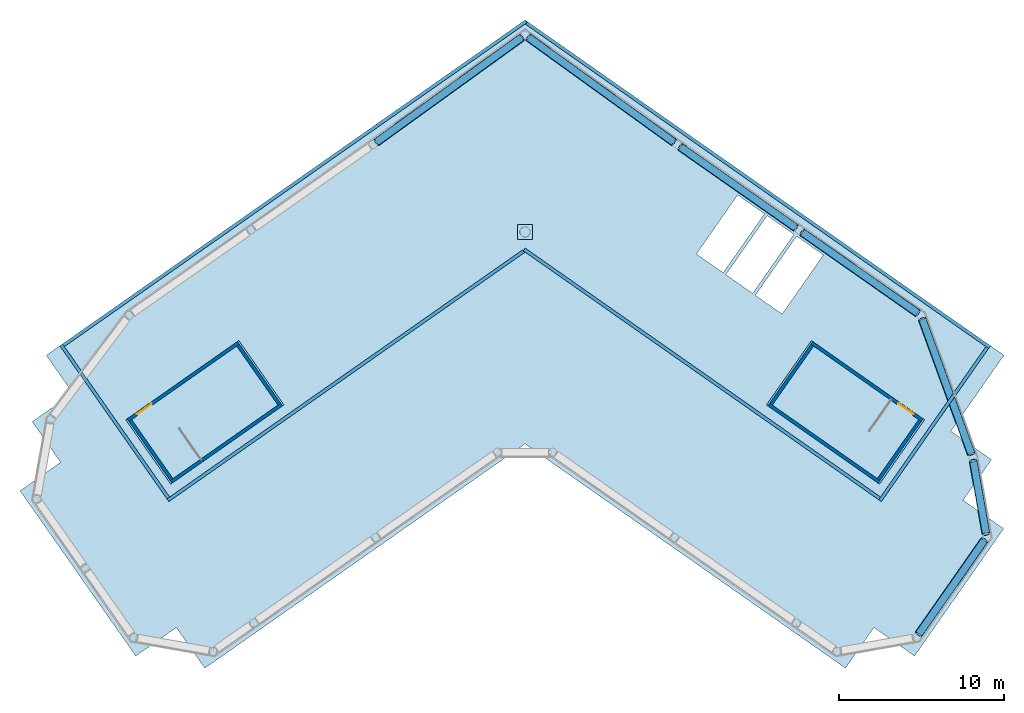
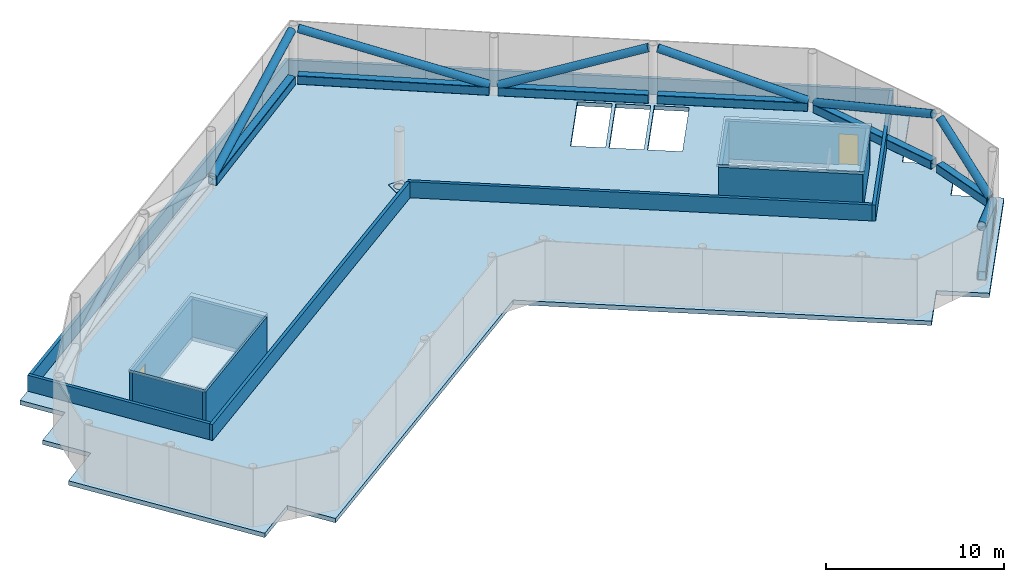
# One storey, part 3 of 4: 14 walls, 7 beams, 7 members, 4 slabs, 2 doors, 1 plate, 2 openings.
"""IFC4 building model written with IfcOpenShell, lengths in metres."""

from ifc_helpers import new_model, si_unit, direction, frame, frame_2d, origin, origin_2d, place, context, subcontext, project, spatial, polyline, rectangle, hollow_rectangle, hollow_circle, outline, extrude, material, layer, layer_set, material_profile, profile_set, type_object, element, fill, save


model = new_model("IFC4")

# Units and contexts
model_context = context("Model", 3, precision=1e-05, world=origin(), true_north=direction((0.0, 1.0)))
body_context = subcontext(model_context, "Body", "Model", "MODEL_VIEW")
ifc_project = project(units=[si_unit("LENGTHUNIT", "METRE"), si_unit("AREAUNIT", "SQUARE_METRE"), si_unit("VOLUMEUNIT", "CUBIC_METRE"), si_unit("PLANEANGLEUNIT", "RADIAN"), si_unit("MASSUNIT", "GRAM", prefix="KILO")], contexts=[model_context])

# Site, building, storey
site_placement = place(None, origin())
site = spatial("IfcSite", under=ifc_project, at=site_placement, CompositionType="ELEMENT")
building_placement = place(site_placement, origin())
building = spatial("IfcBuilding", under=site, at=building_placement, Name="Tel Ilan Convention Tower", CompositionType="ELEMENT")
storey_placement = place(building_placement, frame((0.0, 0.0, 318.800048828125)))
storey = spatial("IfcBuildingStorey", under=building, at=storey_placement, Name="L75", CompositionType="ELEMENT", Elevation=318.800048828125)

# Members
ifc_material_1 = material(Name="Steel S355", Category="steel")
ifc_material_profile_1 = material_profile(ifc_material_1, hollow_circle(Radius=0.25390625, WallThickness=0.01611328125, at=origin_2d()), Name="CHS 508x16")
ifc_profile_set_1 = profile_set([ifc_material_profile_1], Name="Steel S355")
member_type = type_object("IfcMemberType", Name="CROWN FRAME BRACE CHS 508x16", PredefinedType="BRACE", material=ifc_profile_set_1)
member_1_placement = place(storey_placement, frame((23.817626953125, -24.302978515625, 3.699951171875), z_axis=(0.523123385524, 0.747051464347, -0.410190240175), x_axis=(-0.81913539389, 0.573600214851, 0.0)))
element("IfcMember", 1, at=member_1_placement, inside=storey, type_object=member_type, Name="CROWN FRAME brace", PredefinedType="BRACE", context=body_context, shape_type="SweptSolid", body=[
    extrude(hollow_circle(Radius=0.25390625, WallThickness=0.01611328125, at=origin_2d()), origin(), (0.0, 0.0, 1.0), 7.5576171875),
])
member_2_placement = place(storey_placement, frame((27.872802734375, -18.198974609375, 0.599853515625), z_axis=(-0.141591732829, 0.803309853597, 0.578485142686), x_axis=(-0.984818960578, -0.173584604405, 0.0)))
element("IfcMember", 2, at=member_2_placement, inside=storey, type_object=member_type, Name="CROWN FRAME brace", PredefinedType="BRACE", context=body_context, shape_type="SweptSolid", body=[
    extrude(hollow_circle(Radius=0.25390625, WallThickness=0.01611328125, at=origin_2d()), origin(), (0.0, 0.0, 1.0), 5.35888671875),
])
member_3_placement = place(storey_placement, frame((26.983154296875, -13.4052734375, 3.699951171875), z_axis=(-0.32215936621, 0.884483078025, -0.337495225818), x_axis=(-0.939612751601, -0.342239502439, 0.0)))
element("IfcMember", 3, at=member_3_placement, inside=storey, type_object=member_type, Name="CROWN FRAME brace", PredefinedType="BRACE", context=body_context, shape_type="SweptSolid", body=[
    extrude(hollow_circle(Radius=0.25390625, WallThickness=0.01611328125, at=origin_2d()), origin(), (0.0, 0.0, 1.0), 9.185546875),
])
member_4_placement = place(storey_placement, frame((23.72900390625, -4.896240234375, 0.599853515625), z_axis=(-0.769437350705, 0.538865397163, 0.342914343649), x_axis=(-0.573647554936, -0.819102241918, 0.0)))
element("IfcMember", 4, at=member_4_placement, inside=storey, type_object=member_type, Name="CROWN FRAME brace", PredefinedType="BRACE", context=body_context, shape_type="SweptSolid", body=[
    extrude(hollow_circle(Radius=0.25390625, WallThickness=0.01611328125, at=origin_2d()), origin(), (0.0, 0.0, 1.0), 9.04052734375),
])
member_5_placement = place(storey_placement, frame((16.35693359375, 0.2666015625, 3.699951171875), z_axis=(-0.769471121949, 0.538799932711, -0.342941430856), x_axis=(-0.573583902989, -0.819146816042, 0.0)))
element("IfcMember", 5, at=member_5_placement, inside=storey, type_object=member_type, Name="CROWN FRAME brace", PredefinedType="BRACE", context=body_context, shape_type="SweptSolid", body=[
    extrude(hollow_circle(Radius=0.25390625, WallThickness=0.01611328125, at=origin_2d()), origin(), (0.0, 0.0, 1.0), 9.039794921875),
])
for number, where, z_axis, x_axis, name in (
    (6, (8.987060546875, 5.431640625, 0.599853515625), (-0.779549180272, 0.562635670773, 0.275216601081), (-0.585236177645, -0.810862883831, 0.0), "CROWN FRAME brace"),
    (7, (-0.2060546875, 11.769287109375, 3.699951171875), (-0.779549180272, -0.562635670773, -0.275216601081), (0.585236177645, -0.810862883831, 0.0), "CROWN FRAME brace"),
):
    element("IfcMember", number, at=place(storey_placement, frame(where, z_axis=z_axis, x_axis=x_axis)), inside=storey, type_object=member_type, Name=name, PredefinedType="BRACE", context=body_context, shape_type="SweptSolid", body=[
        extrude(hollow_circle(Radius=0.25390625, WallThickness=0.01611328125, at=origin_2d()), origin(), (0.0, 0.0, 1.0), 11.26416015625),
    ])

# Beams
ifc_material_2 = material(Name="Steel S355", Category="steel")
ifc_material_profile_2 = material_profile(ifc_material_2, hollow_rectangle(XDim=0.5, YDim=0.60009765625, WallThickness=0.02490234375, InnerFilletRadius=0.02490234375, OuterFilletRadius=0.050048828125, at=origin_2d()), Name="RHS 600x500x25")
ifc_profile_set_2 = profile_set([ifc_material_profile_2], Name="Steel S355")
beam_type = type_object("IfcBeamType", Name="CROWN FRAME RING BEAM RHS 600x500x25", PredefinedType="BEAM", material=ifc_profile_set_2)
beam_1_placement = place(storey_placement, frame((23.817626953125, -24.302978515625, 0.300048828125), z_axis=(0.573600214851, 0.81913539389, 0.0), x_axis=(-0.81913539389, 0.573600214851, 0.0)))
element("IfcBeam", 8, at=beam_1_placement, inside=storey, type_object=beam_type, Name="CROWN FRAME ring beam", PredefinedType="BEAM", context=body_context, shape_type="SweptSolid", body=[
    extrude(hollow_rectangle(XDim=0.5, YDim=0.60009765625, WallThickness=0.02490234375, InnerFilletRadius=0.02490234375, OuterFilletRadius=0.050048828125, at=origin_2d()), origin(), (0.0, 0.0, 1.0), 6.892578125),
])
beam_2_placement = place(storey_placement, frame((27.872802734375, -18.198974609375, 0.300048828125), z_axis=(-0.173584604405, 0.984818960578, 0.0), x_axis=(-0.984818960578, -0.173584604405, 0.0)))
element("IfcBeam", 9, at=beam_2_placement, inside=storey, type_object=beam_type, Name="CROWN FRAME ring beam", PredefinedType="BEAM", context=body_context, shape_type="SweptSolid", body=[
    extrude(hollow_rectangle(XDim=0.5, YDim=0.60009765625, WallThickness=0.02490234375, InnerFilletRadius=0.02490234375, OuterFilletRadius=0.050048828125, at=origin_2d()), origin(), (0.0, 0.0, 1.0), 4.371337890625),
])
beam_3_placement = place(storey_placement, frame((26.983154296875, -13.4052734375, 0.300048828125), z_axis=(-0.342239502439, 0.939612751601, 0.0), x_axis=(-0.939612751601, -0.342239502439, 0.0)))
element("IfcBeam", 10, at=beam_3_placement, inside=storey, type_object=beam_type, Name="CROWN FRAME ring beam", PredefinedType="BEAM", context=body_context, shape_type="SweptSolid", body=[
    extrude(hollow_rectangle(XDim=0.5, YDim=0.60009765625, WallThickness=0.02490234375, InnerFilletRadius=0.02490234375, OuterFilletRadius=0.050048828125, at=origin_2d()), origin(), (0.0, 0.0, 1.0), 8.646728515625),
])
beam_4_placement = place(storey_placement, frame((23.72900390625, -4.896240234375, 0.300048828125), z_axis=(-0.819102241918, 0.573647554936, 0.0), x_axis=(-0.573647554936, -0.819102241918, 0.0)))
element("IfcBeam", 11, at=beam_4_placement, inside=storey, type_object=beam_type, Name="CROWN FRAME ring beam", PredefinedType="BEAM", context=body_context, shape_type="SweptSolid", body=[
    extrude(hollow_rectangle(XDim=0.5, YDim=0.60009765625, WallThickness=0.02490234375, InnerFilletRadius=0.02490234375, OuterFilletRadius=0.050048828125, at=origin_2d()), origin(), (0.0, 0.0, 1.0), 8.4921875),
])
beam_5_placement = place(storey_placement, frame((16.35693359375, 0.2666015625, 0.300048828125), z_axis=(-0.819146816042, 0.573583902989, 0.0), x_axis=(-0.573583902989, -0.819146816042, 0.0)))
element("IfcBeam", 12, at=beam_5_placement, inside=storey, type_object=beam_type, Name="CROWN FRAME ring beam", PredefinedType="BEAM", context=body_context, shape_type="SweptSolid", body=[
    extrude(hollow_rectangle(XDim=0.5, YDim=0.60009765625, WallThickness=0.02490234375, InnerFilletRadius=0.02490234375, OuterFilletRadius=0.050048828125, at=origin_2d()), origin(), (0.0, 0.0, 1.0), 8.491455078125),
])
for number, where, z_axis, x_axis, name in (
    (13, (8.987060546875, 5.431640625, 0.300048828125), (-0.810862883831, 0.585236177645, 0.0), (-0.585236177645, -0.810862883831, 0.0), "CROWN FRAME ring beam"),
    (14, (-0.2060546875, 11.769287109375, 0.300048828125), (-0.810862883831, -0.585236177645, 0.0), (0.585236177645, -0.810862883831, 0.0), "CROWN FRAME ring beam"),
):
    element("IfcBeam", number, at=place(storey_placement, frame(where, z_axis=z_axis, x_axis=x_axis)), inside=storey, type_object=beam_type, Name=name, PredefinedType="BEAM", context=body_context, shape_type="SweptSolid", body=[
        extrude(hollow_rectangle(XDim=0.5, YDim=0.60009765625, WallThickness=0.02490234375, InnerFilletRadius=0.02490234375, OuterFilletRadius=0.050048828125, at=origin_2d()), origin(), (0.0, 0.0, 1.0), 10.8291015625),
    ])

# Slab
ifc_material_3 = material(Name="Concrete C40/50", Category="concrete")
ifc_layer_1 = layer(ifc_material_3, 0.280029296875)
ifc_layer_set_1 = layer_set([ifc_layer_1], Name="Core Roof Slab 280 mm C40/50")
slab_type_1 = type_object("IfcSlabType", Name="Core Roof Slab 280 mm C40/50", PredefinedType="ROOF", material=ifc_layer_set_1)
slab_1_placement = place(storey_placement, frame((0.0, 0.0, -0.280029296875)))
element("IfcSlab", 15, at=slab_1_placement, inside=storey, type_object=slab_type_1, Name="L75 core floor 1", PredefinedType="ROOF", context=body_context, shape_type="SweptSolid", body=[
    extrude(outline(polyline([(-28.1396484375, -6.885498046875), (0.0, 12.818115234375), (28.1396484375, -6.885498046875), (21.54345703125, -16.3056640625), (0.0, -1.220703125), (-21.54345703125, -16.3056640625), (-28.1396484375, -6.885498046875)]), holes=[polyline([(-22.072021484375, -10.144775390625), (-19.5771484375, -13.7080078125), (-14.949462890625, -10.4677734375), (-17.444580078125, -6.904541015625), (-22.072021484375, -10.144775390625)]), polyline([(19.5771484375, -13.7080078125), (22.072021484375, -10.144775390625), (17.444580078125, -6.904541015625), (14.949462890625, -10.4677734375), (19.5771484375, -13.7080078125)]), polyline([(16.41748046875, -0.264404296875), (13.92236328125, -3.827880859375), (15.5400390625, -4.960693359375), (18.03515625, -1.397216796875), (16.41748046875, -0.264404296875)]), polyline([(16.25341796875, -0.149658203125), (14.6357421875, 0.983154296875), (12.140625, -2.580078125), (13.758544921875, -3.712890625), (16.25341796875, -0.149658203125)]), polyline([(14.471923828125, 1.097900390625), (12.85400390625, 2.230712890625), (10.35888671875, -1.332763671875), (11.976806640625, -2.465576171875), (14.471923828125, 1.097900390625)])]), origin(), (0.0, 0.0, 1.0), 0.280029296875),
])

# Plate
ifc_material_4 = material(Name="Steel S355", Category="steel")
ifc_layer_2 = layer(ifc_material_4, 0.050048828125)
ifc_layer_set_2 = layer_set([ifc_layer_2], Name="MAST BASE PLATE 50 S355")
plate_type = type_object("IfcPlateType", Name="MAST BASE PLATE 50", PredefinedType="SHEET", material=ifc_layer_set_2)
plate_placement = place(storey_placement, origin())
element("IfcPlate", 16, at=plate_placement, inside=storey, type_object=plate_type, Name="MAST BASE PLATE 50 mm S355", PredefinedType="SHEET", context=body_context, shape_type="SweptSolid", body=[
    extrude(outline(polyline([(-0.449951171875, -0.449951171875), (0.449951171875, -0.449951171875), (0.449951171875, 0.449951171875), (-0.449951171875, 0.449951171875), (-0.449951171875, -0.449951171875)]), holes=[polyline([(0.303466796875, -0.039794921875), (0.295654296875, -0.0791015625), (0.28271484375, -0.1171875), (0.264892578125, -0.153076171875), (0.242919921875, -0.186279296875), (0.21630859375, -0.21630859375), (0.186279296875, -0.242919921875), (0.153076171875, -0.264892578125), (0.1171875, -0.28271484375), (0.0791015625, -0.295654296875), (0.039794921875, -0.303466796875), (0.0, -0.305908203125), (-0.039794921875, -0.303466796875), (-0.0791015625, -0.295654296875), (-0.1171875, -0.28271484375), (-0.153076171875, -0.264892578125), (-0.186279296875, -0.242919921875), (-0.21630859375, -0.21630859375), (-0.242919921875, -0.186279296875), (-0.264892578125, -0.153076171875), (-0.28271484375, -0.1171875), (-0.295654296875, -0.0791015625), (-0.303466796875, -0.039794921875), (-0.305908203125, 0.0), (-0.303466796875, 0.039794921875), (-0.295654296875, 0.0791015625), (-0.28271484375, 0.1171875), (-0.264892578125, 0.153076171875), (-0.242919921875, 0.186279296875), (-0.21630859375, 0.21630859375), (-0.186279296875, 0.242919921875), (-0.153076171875, 0.264892578125), (-0.1171875, 0.28271484375), (-0.0791015625, 0.295654296875), (-0.039794921875, 0.303466796875), (0.0, 0.305908203125), (0.039794921875, 0.303466796875), (0.0791015625, 0.295654296875), (0.1171875, 0.28271484375), (0.153076171875, 0.264892578125), (0.186279296875, 0.242919921875), (0.21630859375, 0.21630859375), (0.242919921875, 0.186279296875), (0.264892578125, 0.153076171875), (0.28271484375, 0.1171875), (0.295654296875, 0.0791015625), (0.303466796875, 0.039794921875), (0.305908203125, 0.0), (0.303466796875, -0.039794921875)])]), origin(), (0.0, 0.0, 1.0), 0.050048828125),
])

# Slabs
ifc_material_5 = material(Name="Concrete C40/50", Category="concrete")
ifc_layer_3 = layer(ifc_material_5, 0.300048828125)
ifc_layer_set_3 = layer_set([ifc_layer_3], Name="Roof Slab 300 mm C40/50")
slab_type_2 = type_object("IfcSlabType", Name="Roof Slab 300 mm C40/50", PredefinedType="ROOF", material=ifc_layer_set_3)
slab_2_placement = place(storey_placement, frame((0.0, 0.0, -0.300048828125)))
element("IfcSlab", 17, at=slab_2_placement, inside=storey, type_object=slab_type_2, Name="Roof slab over L74", PredefinedType="ROOF", context=body_context, shape_type="SweptSolid", body=[
    extrude(outline(polyline([(28.958740234375, -7.458984375), (25.746826171875, -12.04638671875), (28.2041015625, -13.76708984375), (26.4833984375, -16.224609375), (28.94091796875, -17.9453125), (23.54931640625, -25.645263671875), (21.091796875, -23.924560546875), (19.37109375, -26.382080078125), (0.0, -12.818115234375), (-19.37109375, -26.382080078125), (-21.091796875, -23.924560546875), (-23.54931640625, -25.645263671875), (-30.547119140625, -15.651611328125), (-28.089599609375, -13.930908203125), (-29.810302734375, -11.473388671875), (-27.352783203125, -9.752685546875), (-28.958740234375, -7.458984375), (-28.1396484375, -6.885498046875), (-21.54345703125, -16.3056640625), (0.0, -1.220703125), (21.54345703125, -16.3056640625), (28.1396484375, -6.885498046875), (28.958740234375, -7.458984375)])), origin(), (0.0, 0.0, 1.0), 0.300048828125),
])
ifc_material_6 = material(Name="Concrete C40/50", Category="concrete")
ifc_layer_4 = layer(ifc_material_6, 0.199951171875)
ifc_layer_set_4 = layer_set([ifc_layer_4], Name="Stair Head House Roof Slab 200 mm C40/50")
slab_type_3 = type_object("IfcSlabType", Name="Stair Head House Roof Slab 200 mm", PredefinedType="ROOF", material=ifc_layer_set_4)
slab_3_placement = place(storey_placement, frame((0.0, 0.0, 2.599853515625)))
element("IfcSlab", 18, at=slab_3_placement, inside=storey, type_object=slab_type_3, Name="Stair S2 head house roof", PredefinedType="ROOF", context=body_context, shape_type="SweptSolid", body=[
    extrude(outline(polyline([(-17.313720703125, -6.568603515625), (-24.153564453125, -11.35791015625), (-21.428955078125, -15.248779296875), (-14.589111328125, -10.45947265625), (-17.313720703125, -6.568603515625)])), origin(), (0.0, 0.0, 1.0), 0.2001953125),
])
slab_4_placement = place(storey_placement, frame((0.0, 0.0, 2.599853515625)))
element("IfcSlab", 19, at=slab_4_placement, inside=storey, type_object=slab_type_3, Name="Stair S4 head house roof", PredefinedType="ROOF", context=body_context, shape_type="SweptSolid", body=[
    extrude(outline(polyline([(17.313720703125, -6.568603515625), (24.153564453125, -11.35791015625), (21.428955078125, -15.248779296875), (14.589111328125, -10.45947265625), (17.313720703125, -6.568603515625)])), origin(), (0.0, 0.0, 1.0), 0.2001953125),
])

# Walls
ifc_material_7 = material(Name="Concrete C40/50", Category="concrete")
ifc_layer_5 = layer(ifc_material_7, 0.199951171875)
ifc_layer_set_5 = layer_set([ifc_layer_5], Name="Roof Parapet Wall 200 mm Concrete C40/50")
wall_type_1 = type_object("IfcWallType", Name="Roof Parapet Wall 200 mm Concrete C40/50", PredefinedType="PARAPET", material=ifc_layer_set_5)
wall_1_placement = place(storey_placement, frame((-21.576416015625, -16.08447265625, 0.0), z_axis=(0.0, 0.0, 1.0), x_axis=(-0.57356674313, 0.81915883147, 0.0)))
element("IfcWall", 20, at=wall_1_placement, inside=storey, type_object=wall_type_1, Name="Roof parapet", PredefinedType="PARAPET", context=body_context, shape_type="SweptSolid", body=[
    extrude(rectangle(XDim=11.2998046875, YDim=0.199951171875, at=frame_2d((5.64990234375, 0.0))), origin(), (0.0, 0.0, 1.0), 1.099853515625),
])
wall_2_placement = place(storey_placement, frame((-27.91845703125, -6.852783203125, 0.0), z_axis=(0.0, 0.0, 1.0), x_axis=(0.819152318349, 0.573576044952, 0.0)))
element("IfcWall", 21, at=wall_2_placement, inside=storey, type_object=wall_type_1, Name="Roof parapet", PredefinedType="PARAPET", context=body_context, shape_type="SweptSolid", body=[
    extrude(rectangle(XDim=34.152099609375, YDim=0.199951171875, at=frame_2d((17.076171875, 0.0))), origin(), (0.0, 0.0, 1.0), 1.099853515625),
])
wall_3_placement = place(storey_placement, frame((0.090087890625, 12.633056640625, 0.0), z_axis=(0.0, 0.0, 1.0), x_axis=(0.819152029187, -0.573576457919, 0.0)))
element("IfcWall", 22, at=wall_3_placement, inside=storey, type_object=wall_type_1, Name="Roof parapet", PredefinedType="PARAPET", context=body_context, shape_type="SweptSolid", body=[
    extrude(rectangle(XDim=34.172119140625, YDim=0.199951171875, at=frame_2d((17.0859375, 0.0))), origin(), (0.0, 0.0, 1.0), 1.099853515625),
])
wall_4_placement = place(storey_placement, frame((27.943115234375, -6.991943359375, 0.0), z_axis=(0.0, 0.0, 1.0), x_axis=(-0.573581240749, -0.819148680192, 0.0)))
element("IfcWall", 23, at=wall_4_placement, inside=storey, type_object=wall_type_1, Name="Roof parapet", PredefinedType="PARAPET", context=body_context, shape_type="SweptSolid", body=[
    extrude(rectangle(XDim=11.300048828125, YDim=0.199951171875, at=frame_2d((5.64990234375, 0.0))), origin(), (0.0, 0.0, 1.0), 1.099853515625),
])
wall_5_placement = place(storey_placement, frame((21.43701171875, -16.109130859375, 0.0), z_axis=(0.0, 0.0, 1.0), x_axis=(-0.819151921324, 0.573576611963, 0.0)))
element("IfcWall", 24, at=wall_5_placement, inside=storey, type_object=wall_type_1, Name="Roof parapet", PredefinedType="PARAPET", context=body_context, shape_type="SweptSolid", body=[
    extrude(rectangle(XDim=26.23974609375, YDim=0.199951171875, at=frame_2d((13.119873046875, 0.0))), origin(), (0.0, 0.0, 1.0), 1.099853515625),
])
wall_6_placement = place(storey_placement, frame((-0.090087890625, -1.161865234375, 0.0), z_axis=(0.0, 0.0, 1.0), x_axis=(-0.819151545335, -0.57357714893, 0.0)))
element("IfcWall", 25, at=wall_6_placement, inside=storey, type_object=wall_type_1, Name="Roof parapet", PredefinedType="PARAPET", context=body_context, shape_type="SweptSolid", body=[
    extrude(rectangle(XDim=26.259765625, YDim=0.199951171875, at=frame_2d((13.1298828125, 0.0))), origin(), (0.0, 0.0, 1.0), 1.099853515625),
])

# Wall, opening, door
ifc_material_8 = material(Name="Concrete C30/37", Category="concrete")
ifc_layer_6 = layer(ifc_material_8, 0.199951171875)
ifc_layer_set_6 = layer_set([ifc_layer_6], Name="Stair Head House Wall 200 mm C30/37")
wall_type_2 = type_object("IfcWallType", Name="Stair Head House Wall 200 mm C30/37", PredefinedType="SOLIDWALL", material=ifc_layer_set_6)
wall_7_placement = place(storey_placement, frame((-17.338134765625, -6.707763671875, 0.0), z_axis=(0.0, 0.0, 1.0), x_axis=(-0.819140434434, -0.573593016586, 0.0)))
wall_7 = element("IfcWall", 26, at=wall_7_placement, inside=storey, type_object=wall_type_2, Name="Stair S2 head house wall spine", PredefinedType="SOLIDWALL", context=body_context, shape_type="SweptSolid", body=[
    extrude(rectangle(XDim=8.150146484375, YDim=0.199951171875, at=frame_2d((4.0751953125, 0.0))), origin(), (0.0, 0.0, 1.0), 2.599853515625),
])
opening_1_placement = place(wall_7_placement, frame((6.39990234375, 0.0, 0.0)))
opening_1 = element("IfcOpeningElement", 27, at=opening_1_placement, cuts=wall_7, Name="Opening HH2", PredefinedType="OPENING", context=body_context, shape_type="SweptSolid", body=[
    extrude(rectangle(XDim=1.10009765625, YDim=2.10009765625, at=frame_2d((0.550048828125, 1.050048828125))), frame((0.0, 0.10986328125, 0.0), z_axis=(0.0, -1.0, 0.0), x_axis=(1.0, 0.0, 0.0)), (0.0, 0.0, 1.0), 0.219970703125),
])
ifc_material_9 = material(Name="Galvanised Steel Door Leaf", Category="steel")
door_type = type_object("IfcDoorType", Name="Stair Fire Door 1100 x 2100 FD60S", OperationType="NOTDEFINED", PredefinedType="DOOR", material=ifc_material_9)
door_1_placement = place(opening_1_placement, origin())
door_1 = element("IfcDoor", 28, at=door_1_placement, inside=storey, type_object=door_type, Name="Stair S2 roof door", OperationType="SINGLE_SWING_RIGHT", OverallHeight=2.10009765625, OverallWidth=1.10009765625, PredefinedType="DOOR", context=body_context, shape_type="SweptSolid", body=[
    extrude(rectangle(XDim=1.10009765625, YDim=2.10009765625, at=frame_2d((0.550048828125, 1.050048828125))), frame((0.0, 0.02490234375, 0.0), z_axis=(0.0, -1.0, 0.0), x_axis=(1.0, 0.0, 0.0)), (0.0, 0.0, 1.0), 0.050048828125),
])
fill(opening_1, door_1)

# Walls
wall_8_placement = place(storey_placement, frame((-14.728271484375, -10.43505859375, 0.0), z_axis=(0.0, 0.0, 1.0), x_axis=(-0.819154509243, -0.573572916016, 0.0)))
element("IfcWall", 29, at=wall_8_placement, inside=storey, type_object=wall_type_2, Name="Stair S2 head house wall back", PredefinedType="SOLIDWALL", context=body_context, shape_type="SweptSolid", body=[
    extrude(rectangle(XDim=8.14990234375, YDim=0.199951171875, at=frame_2d((4.074951171875, 0.0))), origin(), (0.0, 0.0, 1.0), 2.599853515625),
])
for number, where, z_axis, x_axis, name in (
    (30, (-14.86767578125, -10.410400390625, 0.0), (0.0, 0.0, 1.0), (-0.573594173421, 0.819139624372, 0.0), "Stair S2 head house wall far"),
    (31, (-21.3798828125, -14.97021484375, 0.0), (0.0, 0.0, 1.0), (-0.573594173421, 0.819139624372, 0.0), "Stair S2 head house wall end"),
):
    element("IfcWall", number, at=place(storey_placement, frame(where, z_axis=z_axis, x_axis=x_axis)), inside=storey, type_object=wall_type_2, Name=name, PredefinedType="SOLIDWALL", context=body_context, shape_type="SweptSolid", body=[
        extrude(rectangle(XDim=4.349853515625, YDim=0.199951171875, at=frame_2d((2.1748046875, 0.0))), origin(), (0.0, 0.0, 1.0), 2.599853515625),
    ])

# Wall, opening, door
wall_9_placement = place(storey_placement, frame((17.338134765625, -6.707763671875, 0.0), z_axis=(0.0, 0.0, 1.0), x_axis=(0.819140434434, -0.573593016586, 0.0)))
wall_9 = element("IfcWall", 32, at=wall_9_placement, inside=storey, type_object=wall_type_2, Name="Stair S4 head house wall spine", PredefinedType="SOLIDWALL", context=body_context, shape_type="SweptSolid", body=[
    extrude(rectangle(XDim=8.150146484375, YDim=0.199951171875, at=frame_2d((4.0751953125, 0.0))), origin(), (0.0, 0.0, 1.0), 2.599853515625),
])
opening_2_placement = place(wall_9_placement, frame((6.39990234375, 0.0, 0.0)))
opening_2 = element("IfcOpeningElement", 33, at=opening_2_placement, cuts=wall_9, Name="Opening HH4", PredefinedType="OPENING", context=body_context, shape_type="SweptSolid", body=[
    extrude(rectangle(XDim=1.10009765625, YDim=2.10009765625, at=frame_2d((0.550048828125, 1.050048828125))), frame((0.0, 0.10986328125, 0.0), z_axis=(0.0, -1.0, 0.0), x_axis=(1.0, 0.0, 0.0)), (0.0, 0.0, 1.0), 0.219970703125),
])
door_2_placement = place(opening_2_placement, origin())
door_2 = element("IfcDoor", 34, at=door_2_placement, inside=storey, type_object=door_type, Name="Stair S4 roof door", OperationType="SINGLE_SWING_RIGHT", OverallHeight=2.10009765625, OverallWidth=1.10009765625, PredefinedType="DOOR", context=body_context, shape_type="SweptSolid", body=[
    extrude(rectangle(XDim=1.10009765625, YDim=2.10009765625, at=frame_2d((0.550048828125, 1.050048828125))), frame((0.0, 0.02490234375, 0.0), z_axis=(0.0, -1.0, 0.0), x_axis=(1.0, 0.0, 0.0)), (0.0, 0.0, 1.0), 0.050048828125),
])
fill(opening_2, door_2)

# Walls
wall_10_placement = place(storey_placement, frame((14.728271484375, -10.43505859375, 0.0), z_axis=(0.0, 0.0, 1.0), x_axis=(0.819154509243, -0.573572916016, 0.0)))
element("IfcWall", 35, at=wall_10_placement, inside=storey, type_object=wall_type_2, Name="Stair S4 head house wall back", PredefinedType="SOLIDWALL", context=body_context, shape_type="SweptSolid", body=[
    extrude(rectangle(XDim=8.14990234375, YDim=0.199951171875, at=frame_2d((4.074951171875, 0.0))), origin(), (0.0, 0.0, 1.0), 2.599853515625),
])
for number, where, z_axis, x_axis, name in (
    (36, (14.86767578125, -10.410400390625, 0.0), (0.0, 0.0, 1.0), (0.573594173421, 0.819139624372, 0.0), "Stair S4 head house wall far"),
    (37, (21.3798828125, -14.97021484375, 0.0), (0.0, 0.0, 1.0), (0.573594173421, 0.819139624372, 0.0), "Stair S4 head house wall end"),
):
    element("IfcWall", number, at=place(storey_placement, frame(where, z_axis=z_axis, x_axis=x_axis)), inside=storey, type_object=wall_type_2, Name=name, PredefinedType="SOLIDWALL", context=body_context, shape_type="SweptSolid", body=[
        extrude(rectangle(XDim=4.349853515625, YDim=0.199951171875, at=frame_2d((2.1748046875, 0.0))), origin(), (0.0, 0.0, 1.0), 2.599853515625),
    ])

save(model, "model.ifc")
